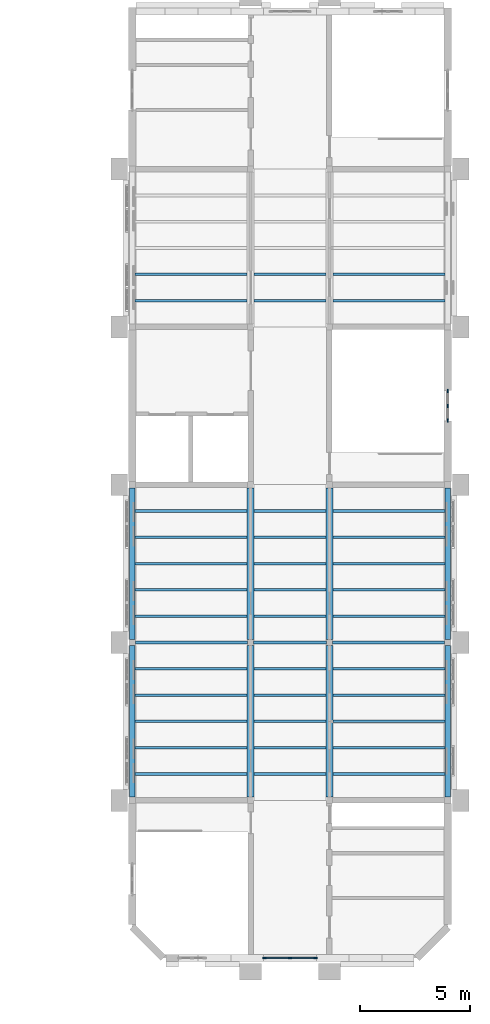
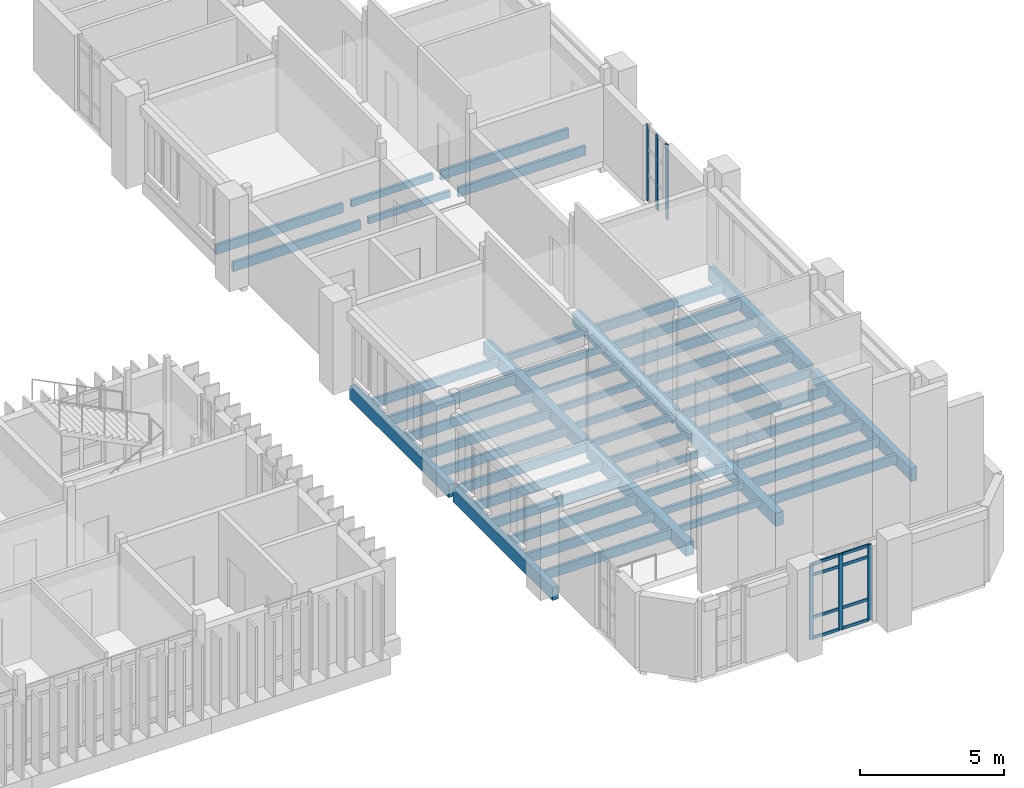
# One storey, part 19 of 71: 47 beams, 14 members, 2 elements without a shape of their own.
"""IFC4 building model written with IfcOpenShell, lengths in metres."""

from ifc_helpers import new_model, si_unit, direction, frame, origin, origin_2d, place, context, subcontext, project, spatial, rectangle, extrude, material, layer, layer_set, material_profile, profile_set, type_object, element, aggregate, save


model = new_model("IFC4")

# Units and contexts
model_context = context("Model", 3, precision=1e-05, world=origin(), true_north=direction((0.0, 1.0)))
body_context = subcontext(model_context, "Body", "Model", "MODEL_VIEW")
ifc_project = project(units=[si_unit("LENGTHUNIT", "METRE"), si_unit("AREAUNIT", "SQUARE_METRE"), si_unit("VOLUMEUNIT", "CUBIC_METRE"), si_unit("PLANEANGLEUNIT", "RADIAN"), si_unit("MASSUNIT", "GRAM", prefix="KILO")], contexts=[model_context])

# Site, building, storey
site_placement = place(None, origin())
site = spatial("IfcSite", under=ifc_project, at=site_placement, CompositionType="ELEMENT")
building_placement = place(site_placement, origin())
building = spatial("IfcBuilding", under=site, at=building_placement, Name="Mazhai Court Health Centre", CompositionType="ELEMENT")
storey_placement = place(building_placement, frame((0.0, 0.0, 10.199951171875)))
storey = spatial("IfcBuildingStorey", under=building, at=storey_placement, Name="L02", CompositionType="ELEMENT", Elevation=10.199951171875)

# Curtain wall, members
ifc_material_1 = material(Name="Teak timber frame, glazed", Category="wood")
ifc_layer_1 = layer(ifc_material_1, 0.10009765625)
ifc_layer_set_1 = layer_set([ifc_layer_1], Name="CURTAIN WALL TIMBER 600")
curtain_wall_type_1 = type_object("IfcCurtainWallType", Name="CURTAIN WALL TIMBER 600", PredefinedType="NOTDEFINED", material=ifc_layer_set_1)
curtain_wall_1_placement = place(storey_placement, origin())
curtain_wall_1 = element("IfcCurtainWall", 1, at=curtain_wall_1_placement, inside=storey, type_object=curtain_wall_type_1, Name="CW-V6-L02-B3", PredefinedType="NOTDEFINED")
ifc_material_2 = material(Name="Teak timber", Category="wood")
ifc_material_profile_1 = material_profile(ifc_material_2, rectangle(XDim=0.06005859375, YDim=0.159912109375, at=origin_2d()), Name="CW MULLION 60x160")
ifc_profile_set_1 = profile_set([ifc_material_profile_1], Name="Teak timber")
member_type_1 = type_object("IfcMemberType", Name="CW MULLION 60x160", PredefinedType="MULLION", material=ifc_profile_set_1)
member_1_placement = place(storey_placement, frame((150.199951171875, 32.070068359375, 0.0), z_axis=(0.0, 0.0, 1.0), x_axis=(1.0, 0.0, 0.0)))
member_1 = element("IfcMember", 2, at=member_1_placement, type_object=member_type_1, Name="CW mullion 1", PredefinedType="MULLION", context=body_context, shape_type="SweptSolid", body=[
    extrude(rectangle(XDim=0.06005859375, YDim=0.159912109375, at=origin_2d()), origin(), (0.0, 0.0, 1.0), 3.199951171875),
])
member_2_placement = place(storey_placement, frame((150.199951171875, 31.39990234375, 0.0), z_axis=(0.0, 0.0, 1.0), x_axis=(1.0, 0.0, 0.0)))
member_2 = element("IfcMember", 3, at=member_2_placement, type_object=member_type_1, Name="CW mullion 2", PredefinedType="MULLION", context=body_context, shape_type="SweptSolid", body=[
    extrude(rectangle(XDim=0.06005859375, YDim=0.159912109375, at=origin_2d()), origin(), (0.0, 0.0, 1.0), 3.199951171875),
])
member_3_placement = place(storey_placement, frame((150.199951171875, 30.72998046875, 0.0), z_axis=(0.0, 0.0, 1.0), x_axis=(1.0, 0.0, 0.0)))
member_3 = element("IfcMember", 4, at=member_3_placement, type_object=member_type_1, Name="CW mullion 3", PredefinedType="MULLION", context=body_context, shape_type="SweptSolid", body=[
    extrude(rectangle(XDim=0.06005859375, YDim=0.159912109375, at=origin_2d()), origin(), (0.0, 0.0, 1.0), 3.199951171875),
])
aggregate(curtain_wall_1, [member_1, member_2, member_3])

ifc_material_3 = material(Name="Teak timber frame, glazed", Category="wood")
ifc_layer_2 = layer(ifc_material_3, 0.10009765625)
ifc_layer_set_2 = layer_set([ifc_layer_2], Name="CURTAIN WALL TIMBER 1200")
curtain_wall_type_2 = type_object("IfcCurtainWallType", Name="CURTAIN WALL TIMBER 1200", PredefinedType="NOTDEFINED", material=ifc_layer_set_2)
curtain_wall_2_placement = place(storey_placement, origin())
curtain_wall_2 = element("IfcCurtainWall", 5, at=curtain_wall_2_placement, inside=storey, type_object=curtain_wall_type_2, Name="CW-V6-L02-SEND1", PredefinedType="NOTDEFINED")
member_4_placement = place(storey_placement, frame((144.169921875, 6.199951171875, 0.0), z_axis=(0.0, 0.0, 1.0), x_axis=(0.0, -1.0, 0.0)))
member_4 = element("IfcMember", 6, at=member_4_placement, type_object=member_type_1, Name="CW mullion 1", PredefinedType="MULLION", context=body_context, shape_type="SweptSolid", body=[
    extrude(rectangle(XDim=0.06005859375, YDim=0.159912109375, at=origin_2d()), origin(), (0.0, 0.0, 1.0), 3.199951171875),
])
member_5_placement = place(storey_placement, frame((143.0, 6.199951171875, 0.0), z_axis=(0.0, 0.0, 1.0), x_axis=(0.0, -1.0, 0.0)))
member_5 = element("IfcMember", 7, at=member_5_placement, type_object=member_type_1, Name="CW mullion 2", PredefinedType="MULLION", context=body_context, shape_type="SweptSolid", body=[
    extrude(rectangle(XDim=0.06005859375, YDim=0.159912109375, at=origin_2d()), origin(), (0.0, 0.0, 1.0), 3.199951171875),
])
member_6_placement = place(storey_placement, frame((141.830078125, 6.199951171875, 0.0), z_axis=(0.0, 0.0, 1.0), x_axis=(0.0, -1.0, 0.0)))
member_6 = element("IfcMember", 8, at=member_6_placement, type_object=member_type_1, Name="CW mullion 3", PredefinedType="MULLION", context=body_context, shape_type="SweptSolid", body=[
    extrude(rectangle(XDim=0.06005859375, YDim=0.159912109375, at=origin_2d()), origin(), (0.0, 0.0, 1.0), 3.199951171875),
])
ifc_material_4 = material(Name="Teak timber", Category="wood")
ifc_material_profile_2 = material_profile(ifc_material_4, rectangle(XDim=0.06005859375, YDim=0.1201171875, at=origin_2d()), Name="CW TRANSOM 60x120")
ifc_profile_set_2 = profile_set([ifc_material_profile_2], Name="Teak timber")
member_type_2 = type_object("IfcMemberType", Name="CW TRANSOM 60x120", PredefinedType="USERDEFINED", material=ifc_profile_set_2)
member_7_placement = place(storey_placement, frame((144.139892578125, 6.199951171875, 0.030029296875), z_axis=(-1.0, 0.0, 0.0), x_axis=(0.0, -1.0, 0.0)))
member_7 = element("IfcMember", 9, at=member_7_placement, type_object=member_type_2, Name="CW transom 1.1", ObjectType="TRANSOM", PredefinedType="USERDEFINED", context=body_context, shape_type="SweptSolid", body=[
    extrude(rectangle(XDim=0.06005859375, YDim=0.1201171875, at=origin_2d()), origin(), (0.0, 0.0, 1.0), 1.10986328125),
])
member_8_placement = place(storey_placement, frame((144.139892578125, 6.199951171875, 0.900146484375), z_axis=(-1.0, 0.0, 0.0), x_axis=(0.0, -1.0, 0.0)))
member_8 = element("IfcMember", 10, at=member_8_placement, type_object=member_type_2, Name="CW transom 1.2", ObjectType="TRANSOM", PredefinedType="USERDEFINED", context=body_context, shape_type="SweptSolid", body=[
    extrude(rectangle(XDim=0.06005859375, YDim=0.1201171875, at=origin_2d()), origin(), (0.0, 0.0, 1.0), 1.10986328125),
])
member_9_placement = place(storey_placement, frame((144.139892578125, 6.199951171875, 2.699951171875), z_axis=(-1.0, 0.0, 0.0), x_axis=(0.0, -1.0, 0.0)))
member_9 = element("IfcMember", 11, at=member_9_placement, type_object=member_type_2, Name="CW transom 1.3", ObjectType="TRANSOM", PredefinedType="USERDEFINED", context=body_context, shape_type="SweptSolid", body=[
    extrude(rectangle(XDim=0.06005859375, YDim=0.1201171875, at=origin_2d()), origin(), (0.0, 0.0, 1.0), 1.10986328125),
])
member_10_placement = place(storey_placement, frame((144.139892578125, 6.199951171875, 3.170166015625), z_axis=(-1.0, 0.0, 0.0), x_axis=(0.0, -1.0, 0.0)))
member_10 = element("IfcMember", 12, at=member_10_placement, type_object=member_type_2, Name="CW transom 1.4", ObjectType="TRANSOM", PredefinedType="USERDEFINED", context=body_context, shape_type="SweptSolid", body=[
    extrude(rectangle(XDim=0.06005859375, YDim=0.1201171875, at=origin_2d()), origin(), (0.0, 0.0, 1.0), 1.10986328125),
])
member_11_placement = place(storey_placement, frame((142.969970703125, 6.199951171875, 0.030029296875), z_axis=(-1.0, 0.0, 0.0), x_axis=(0.0, -1.0, 0.0)))
member_11 = element("IfcMember", 13, at=member_11_placement, type_object=member_type_2, Name="CW transom 2.1", ObjectType="TRANSOM", PredefinedType="USERDEFINED", context=body_context, shape_type="SweptSolid", body=[
    extrude(rectangle(XDim=0.06005859375, YDim=0.1201171875, at=origin_2d()), origin(), (0.0, 0.0, 1.0), 1.10986328125),
])
member_12_placement = place(storey_placement, frame((142.969970703125, 6.199951171875, 0.900146484375), z_axis=(-1.0, 0.0, 0.0), x_axis=(0.0, -1.0, 0.0)))
member_12 = element("IfcMember", 14, at=member_12_placement, type_object=member_type_2, Name="CW transom 2.2", ObjectType="TRANSOM", PredefinedType="USERDEFINED", context=body_context, shape_type="SweptSolid", body=[
    extrude(rectangle(XDim=0.06005859375, YDim=0.1201171875, at=origin_2d()), origin(), (0.0, 0.0, 1.0), 1.10986328125),
])
member_13_placement = place(storey_placement, frame((142.969970703125, 6.199951171875, 2.699951171875), z_axis=(-1.0, 0.0, 0.0), x_axis=(0.0, -1.0, 0.0)))
member_13 = element("IfcMember", 15, at=member_13_placement, type_object=member_type_2, Name="CW transom 2.3", ObjectType="TRANSOM", PredefinedType="USERDEFINED", context=body_context, shape_type="SweptSolid", body=[
    extrude(rectangle(XDim=0.06005859375, YDim=0.1201171875, at=origin_2d()), origin(), (0.0, 0.0, 1.0), 1.10986328125),
])
member_14_placement = place(storey_placement, frame((142.969970703125, 6.199951171875, 3.170166015625), z_axis=(-1.0, 0.0, 0.0), x_axis=(0.0, -1.0, 0.0)))
member_14 = element("IfcMember", 16, at=member_14_placement, type_object=member_type_2, Name="CW transom 2.4", ObjectType="TRANSOM", PredefinedType="USERDEFINED", context=body_context, shape_type="SweptSolid", body=[
    extrude(rectangle(XDim=0.06005859375, YDim=0.1201171875, at=origin_2d()), origin(), (0.0, 0.0, 1.0), 1.10986328125),
])
aggregate(curtain_wall_2, [member_4, member_5, member_6, member_7, member_8, member_9, member_10, member_11, member_12, member_13, member_14])

# Beams
ifc_material_5 = material(Name="Glulam GL24h", Category="wood")
ifc_material_profile_3 = material_profile(ifc_material_5, rectangle(XDim=0.1201171875, YDim=0.280029296875, at=origin_2d()), Name="GL24h 120x280")
ifc_profile_set_3 = profile_set([ifc_material_profile_3], Name="Glulam GL24h")
beam_type_1 = type_object("IfcBeamType", Name="GL24h 120x280 joist", PredefinedType="JOIST", material=ifc_profile_set_3)
for number, where, z_axis, x_axis, name in (
    (17, (141.360107421875, 14.60009765625, -0.260009765625), (1.0, 0.0, 0.0), (0.0, 1.0, 0.0), "joist-V6-L02-1-B1"),
    (18, (141.360107421875, 15.800048828125, -0.260009765625), (1.0, 0.0, 0.0), (0.0, 1.0, 0.0), "joist-V6-L02-1-B2"),
    (19, (141.360107421875, 17.0, -0.260009765625), (1.0, 0.0, 0.0), (0.0, 1.0, 0.0), "joist-V6-L02-1-B3"),
    (20, (141.360107421875, 18.199951171875, -0.260009765625), (1.0, 0.0, 0.0), (0.0, 1.0, 0.0), "joist-V6-L02-1-B4"),
    (21, (141.360107421875, 19.39990234375, -0.260009765625), (1.0, 0.0, 0.0), (0.0, 1.0, 0.0), "joist-V6-L02-1-B5"),
):
    element("IfcBeam", number, at=place(storey_placement, frame(where, z_axis=z_axis, x_axis=x_axis)), inside=storey, type_object=beam_type_1, Name=name, PredefinedType="JOIST", context=body_context, shape_type="SweptSolid", body=[
        extrude(rectangle(XDim=0.1201171875, YDim=0.280029296875, at=origin_2d()), origin(), (0.0, 0.0, 1.0), 3.27978515625),
    ])
beam_placement = place(storey_placement, frame((141.340087890625, 20.60009765625, -0.260009765625), z_axis=(1.0, 0.0, 0.0), x_axis=(0.0, 1.0, 0.0)))
element("IfcBeam", 22, at=beam_placement, inside=storey, type_object=beam_type_1, Name="joist-V6-L02-2-B0", PredefinedType="JOIST", context=body_context, shape_type="SweptSolid", body=[
    extrude(rectangle(XDim=0.1201171875, YDim=0.280029296875, at=origin_2d()), origin(), (0.0, 0.0, 1.0), 3.31982421875),
])
for number, where, z_axis, x_axis, name in (
    (23, (141.360107421875, 21.800048828125, -0.260009765625), (1.0, 0.0, 0.0), (0.0, 1.0, 0.0), "joist-V6-L02-2-B1"),
    (24, (141.360107421875, 23.0, -0.260009765625), (1.0, 0.0, 0.0), (0.0, 1.0, 0.0), "joist-V6-L02-2-B2"),
    (25, (141.360107421875, 24.199951171875, -0.260009765625), (1.0, 0.0, 0.0), (0.0, 1.0, 0.0), "joist-V6-L02-2-B3"),
    (26, (141.360107421875, 25.39990234375, -0.260009765625), (1.0, 0.0, 0.0), (0.0, 1.0, 0.0), "joist-V6-L02-2-B4"),
    (27, (141.360107421875, 26.60009765625, -0.260009765625), (1.0, 0.0, 0.0), (0.0, 1.0, 0.0), "joist-V6-L02-2-B5"),
    (28, (141.360107421875, 36.199951171875, -0.260009765625), (1.0, 0.0, 0.0), (0.0, 1.0, 0.0), "joist-V6-L02-4-B1"),
    (29, (141.360107421875, 37.39990234375, -0.260009765625), (1.0, 0.0, 0.0), (0.0, 1.0, 0.0), "joist-V6-L02-4-B2"),
):
    element("IfcBeam", number, at=place(storey_placement, frame(where, z_axis=z_axis, x_axis=x_axis)), inside=storey, type_object=beam_type_1, Name=name, PredefinedType="JOIST", context=body_context, shape_type="SweptSolid", body=[
        extrude(rectangle(XDim=0.1201171875, YDim=0.280029296875, at=origin_2d()), origin(), (0.0, 0.0, 1.0), 3.27978515625),
    ])
ifc_material_6 = material(Name="Glulam GL24h", Category="wood")
ifc_material_profile_4 = material_profile(ifc_material_6, rectangle(XDim=0.1201171875, YDim=0.39990234375, at=origin_2d()), Name="GL24h 120x400")
ifc_profile_set_4 = profile_set([ifc_material_profile_4], Name="Glulam GL24h")
beam_type_2 = type_object("IfcBeamType", Name="GL24h 120x400 joist", PredefinedType="JOIST", material=ifc_profile_set_4)
for number, where, z_axis, x_axis, name in (
    (30, (135.919921875, 14.60009765625, -0.320068359375), (1.0, 0.0, 0.0), (0.0, 1.0, 0.0), "joist-V6-L02-1-A1"),
    (31, (135.919921875, 15.800048828125, -0.320068359375), (1.0, 0.0, 0.0), (0.0, 1.0, 0.0), "joist-V6-L02-1-A2"),
    (32, (135.919921875, 17.0, -0.320068359375), (1.0, 0.0, 0.0), (0.0, 1.0, 0.0), "joist-V6-L02-1-A3"),
    (33, (135.919921875, 18.199951171875, -0.320068359375), (1.0, 0.0, 0.0), (0.0, 1.0, 0.0), "joist-V6-L02-1-A4"),
    (34, (135.919921875, 19.39990234375, -0.320068359375), (1.0, 0.0, 0.0), (0.0, 1.0, 0.0), "joist-V6-L02-1-A5"),
    (35, (144.9599609375, 14.60009765625, -0.320068359375), (1.0, 0.0, 0.0), (0.0, 1.0, 0.0), "joist-V6-L02-1-C1"),
    (36, (144.9599609375, 15.800048828125, -0.320068359375), (1.0, 0.0, 0.0), (0.0, 1.0, 0.0), "joist-V6-L02-1-C2"),
    (37, (144.9599609375, 17.0, -0.320068359375), (1.0, 0.0, 0.0), (0.0, 1.0, 0.0), "joist-V6-L02-1-C3"),
    (38, (144.9599609375, 18.199951171875, -0.320068359375), (1.0, 0.0, 0.0), (0.0, 1.0, 0.0), "joist-V6-L02-1-C4"),
    (39, (144.9599609375, 19.39990234375, -0.320068359375), (1.0, 0.0, 0.0), (0.0, 1.0, 0.0), "joist-V6-L02-1-C5"),
    (40, (135.93994140625, 20.60009765625, -0.320068359375), (1.0, 0.0, 0.0), (0.0, 1.0, 0.0), "joist-V6-L02-2-A0"),
    (41, (135.919921875, 21.800048828125, -0.320068359375), (1.0, 0.0, 0.0), (0.0, 1.0, 0.0), "joist-V6-L02-2-A1"),
    (42, (135.919921875, 23.0, -0.320068359375), (1.0, 0.0, 0.0), (0.0, 1.0, 0.0), "joist-V6-L02-2-A2"),
    (43, (135.919921875, 24.199951171875, -0.320068359375), (1.0, 0.0, 0.0), (0.0, 1.0, 0.0), "joist-V6-L02-2-A3"),
    (44, (135.919921875, 25.39990234375, -0.320068359375), (1.0, 0.0, 0.0), (0.0, 1.0, 0.0), "joist-V6-L02-2-A4"),
    (45, (135.919921875, 26.60009765625, -0.320068359375), (1.0, 0.0, 0.0), (0.0, 1.0, 0.0), "joist-V6-L02-2-A5"),
    (46, (144.93994140625, 20.60009765625, -0.320068359375), (1.0, 0.0, 0.0), (0.0, 1.0, 0.0), "joist-V6-L02-2-C0"),
    (47, (144.9599609375, 21.800048828125, -0.320068359375), (1.0, 0.0, 0.0), (0.0, 1.0, 0.0), "joist-V6-L02-2-C1"),
    (48, (144.9599609375, 23.0, -0.320068359375), (1.0, 0.0, 0.0), (0.0, 1.0, 0.0), "joist-V6-L02-2-C2"),
    (49, (144.9599609375, 24.199951171875, -0.320068359375), (1.0, 0.0, 0.0), (0.0, 1.0, 0.0), "joist-V6-L02-2-C3"),
    (50, (144.9599609375, 25.39990234375, -0.320068359375), (1.0, 0.0, 0.0), (0.0, 1.0, 0.0), "joist-V6-L02-2-C4"),
    (51, (144.9599609375, 26.60009765625, -0.320068359375), (1.0, 0.0, 0.0), (0.0, 1.0, 0.0), "joist-V6-L02-2-C5"),
    (52, (135.919921875, 36.199951171875, -0.320068359375), (1.0, 0.0, 0.0), (0.0, 1.0, 0.0), "joist-V6-L02-4-A1"),
    (53, (135.919921875, 37.39990234375, -0.320068359375), (1.0, 0.0, 0.0), (0.0, 1.0, 0.0), "joist-V6-L02-4-A2"),
    (54, (144.9599609375, 36.199951171875, -0.320068359375), (1.0, 0.0, 0.0), (0.0, 1.0, 0.0), "joist-V6-L02-4-C1"),
    (55, (144.9599609375, 37.39990234375, -0.320068359375), (1.0, 0.0, 0.0), (0.0, 1.0, 0.0), "joist-V6-L02-4-C2"),
):
    element("IfcBeam", number, at=place(storey_placement, frame(where, z_axis=z_axis, x_axis=x_axis)), inside=storey, type_object=beam_type_2, Name=name, PredefinedType="JOIST", context=body_context, shape_type="SweptSolid", body=[
        extrude(rectangle(XDim=0.1201171875, YDim=0.39990234375, at=origin_2d()), origin(), (0.0, 0.0, 1.0), 5.1201171875),
    ])
ifc_material_7 = material(Name="Glulam GL28h", Category="wood")
ifc_material_profile_5 = material_profile(ifc_material_7, rectangle(XDim=0.239990234375, YDim=0.56005859375, at=origin_2d()), Name="GL28h 240x560")
ifc_profile_set_5 = profile_set([ifc_material_profile_5], Name="Glulam GL28h")
beam_type_3 = type_object("IfcBeamType", Name="GL28h 240x560 beam", PredefinedType="BEAM", material=ifc_profile_set_5)
for number, where, z_axis, x_axis, name in (
    (56, (135.800048828125, 13.5400390625, -0.39990234375), (0.0, 1.0, 0.0), (-1.0, 0.0, 0.0), "beam-V6-L02-1-A"),
    (57, (150.199951171875, 13.5400390625, -0.39990234375), (0.0, 1.0, 0.0), (-1.0, 0.0, 0.0), "beam-V6-L02-1-D"),
    (58, (135.800048828125, 20.739990234375, -0.39990234375), (0.0, 1.0, 0.0), (-1.0, 0.0, 0.0), "beam-V6-L02-2-A"),
    (59, (150.199951171875, 20.739990234375, -0.39990234375), (0.0, 1.0, 0.0), (-1.0, 0.0, 0.0), "beam-V6-L02-2-D"),
):
    element("IfcBeam", number, at=place(storey_placement, frame(where, z_axis=z_axis, x_axis=x_axis)), inside=storey, type_object=beam_type_3, Name=name, PredefinedType="BEAM", context=body_context, shape_type="SweptSolid", body=[
        extrude(rectangle(XDim=0.239990234375, YDim=0.56005859375, at=origin_2d()), origin(), (0.0, 0.0, 1.0), 6.919921875),
    ])
ifc_material_8 = material(Name="Glulam GL28h", Category="wood")
ifc_material_profile_6 = material_profile(ifc_material_8, rectangle(XDim=0.320068359375, YDim=0.56005859375, at=origin_2d()), Name="GL28h 320x560")
ifc_profile_set_6 = profile_set([ifc_material_profile_6], Name="Glulam GL28h")
beam_type_4 = type_object("IfcBeamType", Name="GL28h 320x560 beam", PredefinedType="BEAM", material=ifc_profile_set_6)
for number, where, z_axis, x_axis, name in (
    (60, (141.199951171875, 13.5400390625, -0.39990234375), (0.0, 1.0, 0.0), (-1.0, 0.0, 0.0), "beam-V6-L02-1-B"),
    (61, (144.800048828125, 13.5400390625, -0.39990234375), (0.0, 1.0, 0.0), (-1.0, 0.0, 0.0), "beam-V6-L02-1-C"),
    (62, (141.199951171875, 20.739990234375, -0.39990234375), (0.0, 1.0, 0.0), (-1.0, 0.0, 0.0), "beam-V6-L02-2-B"),
    (63, (144.800048828125, 20.739990234375, -0.39990234375), (0.0, 1.0, 0.0), (-1.0, 0.0, 0.0), "beam-V6-L02-2-C"),
):
    element("IfcBeam", number, at=place(storey_placement, frame(where, z_axis=z_axis, x_axis=x_axis)), inside=storey, type_object=beam_type_4, Name=name, PredefinedType="BEAM", context=body_context, shape_type="SweptSolid", body=[
        extrude(rectangle(XDim=0.320068359375, YDim=0.56005859375, at=origin_2d()), origin(), (0.0, 0.0, 1.0), 6.919921875),
    ])

save(model, "model.ifc")
